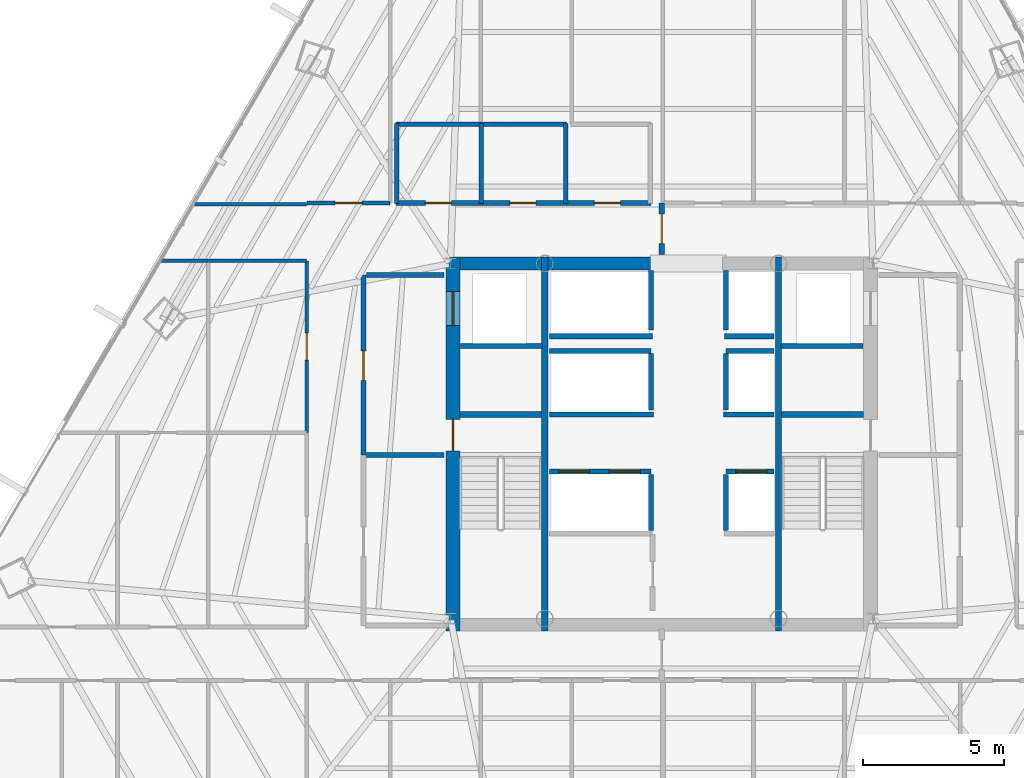
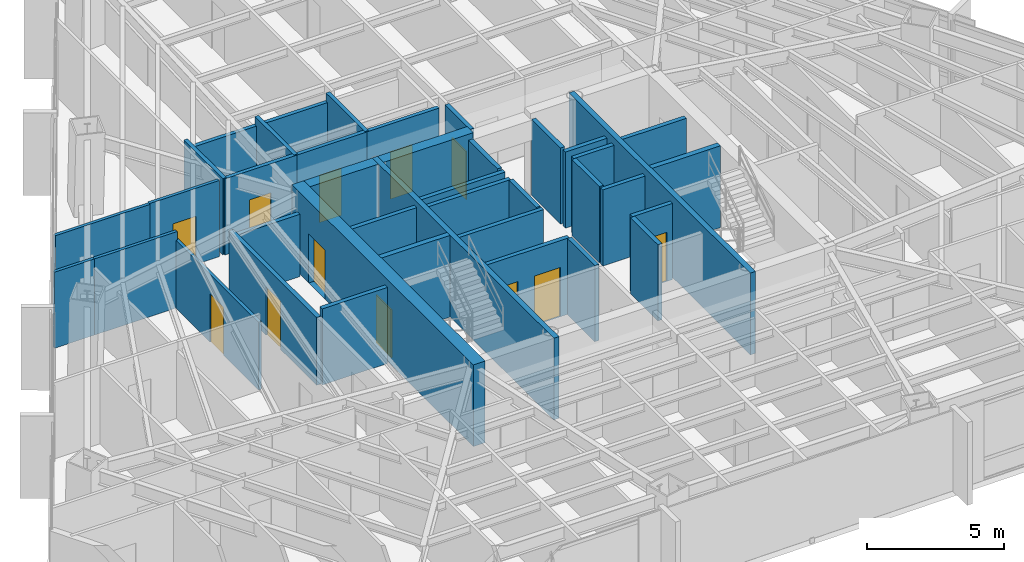
# One storey, part 30 of 35: 40 walls, 12 doors, 12 openings.
"""IFC4 building model written with IfcOpenShell, lengths in metres."""

from ifc_helpers import new_model, si_unit, direction, frame, frame_2d, origin, place, context, subcontext, project, spatial, rectangle, extrude, material, layer, layer_set, type_object, element, fill, save


model = new_model("IFC4")

# Units and contexts
model_context = context("Model", 3, precision=1e-05, world=origin(), true_north=direction((0.0, 1.0)))
body_context = subcontext(model_context, "Body", "Model", "MODEL_VIEW")
ifc_project = project(units=[si_unit("LENGTHUNIT", "METRE"), si_unit("AREAUNIT", "SQUARE_METRE"), si_unit("VOLUMEUNIT", "CUBIC_METRE"), si_unit("PLANEANGLEUNIT", "RADIAN"), si_unit("MASSUNIT", "GRAM", prefix="KILO")], contexts=[model_context])

# Site, building, storey
site_placement = place(None, origin())
site = spatial("IfcSite", under=ifc_project, at=site_placement, CompositionType="ELEMENT")
building_placement = place(site_placement, origin())
building = spatial("IfcBuilding", under=site, at=building_placement, Name="Caelisora Broadcast Tower", CompositionType="ELEMENT")
storey_placement = place(building_placement, frame((0.0, 0.0, 123.64990234375)))
storey = spatial("IfcBuildingStorey", under=building, at=storey_placement, Name="L32", CompositionType="ELEMENT", Elevation=123.64990234375)

# Wall, openings, doors
ifc_material_1 = material(Name="Concrete 50 MPa (AS 3600 S50)", Category="concrete")
ifc_layer_1 = layer(ifc_material_1, 0.5, Name="Concrete 50 MPa (AS 3600 S50)")
ifc_layer_set_1 = layer_set([ifc_layer_1], Name="Concrete 50 MPa (AS 3600 S50)")
wall_type_1 = type_object("IfcWallType", Name="CW2", PredefinedType="SHEAR", material=ifc_layer_set_1)
wall_1_placement = place(storey_placement, frame((30.590087890625, 16.949951171875, 0.0), z_axis=(0.0, 0.0, 1.0), x_axis=(0.0, 1.0, 0.0)))
wall_1 = element("IfcWall", 1, at=wall_1_placement, inside=storey, type_object=wall_type_1, Name="L32 core shear wall CW2", PredefinedType="SHEAR", context=body_context, shape_type="SweptSolid", body=[
    extrude(rectangle(XDim=13.275146484375, YDim=0.5, at=frame_2d((6.6376953125, 0.0))), origin(), (0.0, 0.0, 1.0), 3.650146484375),
])
opening_1_placement = place(wall_1_placement, frame((6.39990234375, 0.0, 0.0)))
opening_1 = element("IfcOpeningElement", 2, at=opening_1_placement, cuts=wall_1, Name="Opening FD04", PredefinedType="OPENING", context=body_context, shape_type="SweptSolid", body=[
    extrude(rectangle(XDim=1.1201171875, YDim=2.14990234375, at=frame_2d((0.56005859375, 1.074951171875))), frame((0.0, 0.261962890625, 0.0), z_axis=(0.0, -1.0, 0.0), x_axis=(1.0, 0.0, 0.0)), (0.0, 0.0, 1.0), 0.52392578125),
])
opening_2_placement = place(wall_1_placement, frame((10.85009765625, 0.0, 0.0)))
opening_2 = element("IfcOpeningElement", 3, at=opening_2_placement, cuts=wall_1, Name="Opening LD04", PredefinedType="OPENING", context=body_context, shape_type="SweptSolid", body=[
    extrude(rectangle(XDim=1.199951171875, YDim=2.199951171875, at=frame_2d((0.60009765625, 1.10009765625))), frame((0.0, 0.261962890625, 0.0), z_axis=(0.0, -1.0, 0.0), x_axis=(1.0, 0.0, 0.0)), (0.0, 0.0, 1.0), 0.52392578125),
])
ifc_material_2 = material(Name="Pressurised Fire-Isolated Stair Door", Category="steel")
door_type_1 = type_object("IfcDoorType", Name="FD04", OperationType="NOTDEFINED", PredefinedType="DOOR", material=ifc_material_2)
door_1_placement = place(opening_1_placement, origin())
door_1 = element("IfcDoor", 4, at=door_1_placement, inside=storey, type_object=door_type_1, Name="L32 door FD04 (L32-DR-ST1)", OperationType="SINGLE_SWING_LEFT", OverallHeight=2.14990234375, OverallWidth=1.1201171875, PredefinedType="DOOR", context=body_context, shape_type="SweptSolid", body=[
    extrude(rectangle(XDim=1.1201171875, YDim=2.14990234375, at=frame_2d((0.56005859375, 1.074951171875))), frame((0.0, 0.02490234375, 0.0), z_axis=(0.0, -1.0, 0.0), x_axis=(1.0, 0.0, 0.0)), (0.0, 0.0, 1.0), 0.050048828125),
])
fill(opening_1, door_1)
ifc_material_3 = material(Name="Emergency Firefighting Lift Sliding Landing Door", Category="steel")
door_type_2 = type_object("IfcDoorType", Name="LD04", OperationType="NOTDEFINED", PredefinedType="DOOR", material=ifc_material_3)
door_2_placement = place(opening_2_placement, origin())
door_2 = element("IfcDoor", 5, at=door_2_placement, inside=storey, type_object=door_type_2, Name="L32 door LD04 (L32-LD-FFL1)", OperationType="SLIDING_TO_LEFT", OverallHeight=2.199951171875, OverallWidth=1.199951171875, PredefinedType="DOOR", context=body_context, shape_type="SweptSolid", body=[
    extrude(rectangle(XDim=1.199951171875, YDim=2.199951171875, at=frame_2d((0.60009765625, 1.10009765625))), frame((0.0, 0.02490234375, 0.0), z_axis=(0.0, -1.0, 0.0), x_axis=(1.0, 0.0, 0.0)), (0.0, 0.0, 1.0), 0.050048828125),
])
fill(opening_2, door_2)

# Walls
ifc_layer_2 = layer(ifc_material_1, 0.449951171875, Name="Concrete 50 MPa (AS 3600 S50)")
ifc_layer_set_2 = layer_set([ifc_layer_2], Name="Concrete 50 MPa (AS 3600 S50)")
wall_type_2 = type_object("IfcWallType", Name="CW5", PredefinedType="SHEAR", material=ifc_layer_set_2)
wall_2_placement = place(storey_placement, frame((30.840087890625, 30.0, 0.0), z_axis=(0.0, 0.0, 1.0), x_axis=(1.0, 0.0, 0.0)))
element("IfcWall", 6, at=wall_2_placement, inside=storey, type_object=wall_type_2, Name="L32 core shear wall CW5", PredefinedType="SHEAR", context=body_context, shape_type="SweptSolid", body=[
    extrude(rectangle(XDim=2.89990234375, YDim=0.449951171875, at=frame_2d((1.449951171875, 0.0))), origin(), (0.0, 0.0, 1.0), 3.650146484375),
])
wall_3_placement = place(storey_placement, frame((33.9599609375, 30.0, 0.0), z_axis=(0.0, 0.0, 1.0), x_axis=(1.0, 0.0, 0.0)))
element("IfcWall", 7, at=wall_3_placement, inside=storey, type_object=wall_type_2, Name="L32 core shear wall CW5", PredefinedType="SHEAR", context=body_context, shape_type="SweptSolid", body=[
    extrude(rectangle(XDim=3.780029296875, YDim=0.449951171875, at=frame_2d((1.89013671875, 0.0))), origin(), (0.0, 0.0, 1.0), 3.650146484375),
])
ifc_layer_3 = layer(ifc_material_1, 0.219970703125, Name="Concrete 50 MPa (AS 3600 S50)")
ifc_layer_set_3 = layer_set([ifc_layer_3], Name="Concrete 50 MPa (AS 3600 S50)")
wall_type_3 = type_object("IfcWallType", Name="CW7", PredefinedType="SHEAR", material=ifc_layer_set_3)
for number, where, z_axis, x_axis, name in (
    (8, (33.85009765625, 16.949951171875, 0.0), (0.0, 0.0, 1.0), (0.0, 1.0, 0.0), "L32 core shear wall CW7"),
    (9, (42.14990234375, 16.949951171875, 0.0), (0.0, 0.0, 1.0), (0.0, 1.0, 0.0), "L32 core shear wall CW7"),
):
    element("IfcWall", number, at=place(storey_placement, frame(where, z_axis=z_axis, x_axis=x_axis)), inside=storey, type_object=wall_type_3, Name=name, PredefinedType="SHEAR", context=body_context, shape_type="SweptSolid", body=[
        extrude(rectangle(XDim=13.275146484375, YDim=0.219970703125, at=frame_2d((6.6376953125, 0.0))), origin(), (0.0, 0.0, 1.0), 3.650146484375),
    ])
for number, where, z_axis, x_axis, name in (
    (10, (30.840087890625, 24.639892578125, 0.0), (0.0, 0.0, 1.0), (1.0, 0.0, 0.0), "L32 core shear wall CW7"),
    (11, (42.260009765625, 24.639892578125, 0.0), (0.0, 0.0, 1.0), (1.0, 0.0, 0.0), "L32 core shear wall CW7"),
):
    element("IfcWall", number, at=place(storey_placement, frame(where, z_axis=z_axis, x_axis=x_axis)), inside=storey, type_object=wall_type_3, Name=name, PredefinedType="SHEAR", context=body_context, shape_type="SweptSolid", body=[
        extrude(rectangle(XDim=2.89990234375, YDim=0.219970703125, at=frame_2d((1.449951171875, 0.0))), origin(), (0.0, 0.0, 1.0), 3.650146484375),
    ])

# Wall, openings, doors
ifc_material_4 = material(Name="Fire-Rated Gypsum Shaft and Compartment Wall", Category="gypsum")
ifc_layer_4 = layer(ifc_material_4, 0.179931640625, Name="Fire-Rated Gypsum Shaft and Compartment Wall")
ifc_layer_set_4 = layer_set([ifc_layer_4], Name="Fire-Rated Gypsum Shaft and Compartment Wall")
wall_type_4 = type_object("IfcWallType", Name="PW2", PredefinedType="PARTITIONING", material=ifc_layer_set_4)
wall_4_placement = place(storey_placement, frame((34.02001953125, 22.6201171875, 0.0), z_axis=(0.0, 0.0, 1.0), x_axis=(1.0, 0.0, 0.0)))
wall_4 = element("IfcWall", 12, at=wall_4_placement, inside=storey, type_object=wall_type_4, Name="L32 fire compartment wall PW2", PredefinedType="PARTITIONING", context=body_context, shape_type="SweptSolid", body=[
    extrude(rectangle(XDim=3.60009765625, YDim=0.179931640625, at=frame_2d((1.800048828125, 0.0))), origin(), (0.0, 0.0, 1.0), 3.400146484375),
])
opening_3_placement = place(wall_4_placement, frame((0.320068359375, 0.0, 0.0)))
opening_3 = element("IfcOpeningElement", 13, at=opening_3_placement, cuts=wall_4, Name="Opening LD01", PredefinedType="OPENING", context=body_context, shape_type="SweptSolid", body=[
    extrude(rectangle(XDim=1.10009765625, YDim=2.199951171875, at=frame_2d((0.550048828125, 1.10009765625))), frame((0.0, 0.10205078125, 0.0), z_axis=(0.0, -1.0, 0.0), x_axis=(1.0, 0.0, 0.0)), (0.0, 0.0, 1.0), 0.203857421875),
])
opening_4_placement = place(wall_4_placement, frame((2.1201171875, 0.0, 0.0)))
opening_4 = element("IfcOpeningElement", 14, at=opening_4_placement, cuts=wall_4, Name="Opening LD01", PredefinedType="OPENING", context=body_context, shape_type="SweptSolid", body=[
    extrude(rectangle(XDim=1.10009765625, YDim=2.199951171875, at=frame_2d((0.550048828125, 1.10009765625))), frame((0.0, 0.10205078125, 0.0), z_axis=(0.0, -1.0, 0.0), x_axis=(1.0, 0.0, 0.0)), (0.0, 0.0, 1.0), 0.203857421875),
])
ifc_material_5 = material(Name="Stainless Steel Centre-Parting Lift Landing Door", Category="steel")
door_type_3 = type_object("IfcDoorType", Name="LD01", OperationType="NOTDEFINED", PredefinedType="DOOR", material=ifc_material_5)
door_3_placement = place(opening_3_placement, origin())
door_3 = element("IfcDoor", 15, at=door_3_placement, inside=storey, type_object=door_type_3, Name="L32 door LD01 (L32-LD-PLL1)", OperationType="SLIDING_TO_LEFT", OverallHeight=2.199951171875, OverallWidth=1.10009765625, PredefinedType="DOOR", context=body_context, shape_type="SweptSolid", body=[
    extrude(rectangle(XDim=1.10009765625, YDim=2.199951171875, at=frame_2d((0.550048828125, 1.10009765625))), frame((0.0, 0.02490234375, 0.0), z_axis=(0.0, -1.0, 0.0), x_axis=(1.0, 0.0, 0.0)), (0.0, 0.0, 1.0), 0.050048828125),
])
fill(opening_3, door_3)
door_4_placement = place(opening_4_placement, origin())
door_4 = element("IfcDoor", 16, at=door_4_placement, inside=storey, type_object=door_type_3, Name="L32 door LD01 (L32-LD-PLL2)", OperationType="SLIDING_TO_RIGHT", OverallHeight=2.199951171875, OverallWidth=1.10009765625, PredefinedType="DOOR", context=body_context, shape_type="SweptSolid", body=[
    extrude(rectangle(XDim=1.10009765625, YDim=2.199951171875, at=frame_2d((0.550048828125, 1.10009765625))), frame((0.0, 0.02490234375, 0.0), z_axis=(0.0, -1.0, 0.0), x_axis=(1.0, 0.0, 0.0)), (0.0, 0.0, 1.0), 0.050048828125),
])
fill(opening_4, door_4)

# Wall, opening, door
wall_5_placement = place(storey_placement, frame((40.280029296875, 22.6201171875, 0.0), z_axis=(0.0, 0.0, 1.0), x_axis=(1.0, 0.0, 0.0)))
wall_5 = element("IfcWall", 17, at=wall_5_placement, inside=storey, type_object=wall_type_4, Name="L32 fire compartment wall PW2", PredefinedType="PARTITIONING", context=body_context, shape_type="SweptSolid", body=[
    extrude(rectangle(XDim=1.699951171875, YDim=0.179931640625, at=frame_2d((0.85009765625, 0.0))), origin(), (0.0, 0.0, 1.0), 3.400146484375),
])
opening_5_placement = place(wall_5_placement, frame((0.35009765625, 0.0, 0.0)))
opening_5 = element("IfcOpeningElement", 18, at=opening_5_placement, cuts=wall_5, Name="Opening LD01", PredefinedType="OPENING", context=body_context, shape_type="SweptSolid", body=[
    extrude(rectangle(XDim=1.10009765625, YDim=2.199951171875, at=frame_2d((0.550048828125, 1.10009765625))), frame((0.0, 0.10205078125, 0.0), z_axis=(0.0, -1.0, 0.0), x_axis=(1.0, 0.0, 0.0)), (0.0, 0.0, 1.0), 0.203857421875),
])
door_5_placement = place(opening_5_placement, origin())
door_5 = element("IfcDoor", 19, at=door_5_placement, inside=storey, type_object=door_type_3, Name="L32 door LD01 (L32-LD-PLL3)", OperationType="SLIDING_TO_LEFT", OverallHeight=2.199951171875, OverallWidth=1.10009765625, PredefinedType="DOOR", context=body_context, shape_type="SweptSolid", body=[
    extrude(rectangle(XDim=1.10009765625, YDim=2.199951171875, at=frame_2d((0.550048828125, 1.10009765625))), frame((0.0, 0.02490234375, 0.0), z_axis=(0.0, -1.0, 0.0), x_axis=(1.0, 0.0, 0.0)), (0.0, 0.0, 1.0), 0.050048828125),
])
fill(opening_5, door_5)

# Walls
for number, where, z_axis, x_axis, name in (
    (20, (37.6201171875, 20.52001953125, 0.0), (0.0, 0.0, 1.0), (0.0, 1.0, 0.0), "L32 fire compartment wall PW2"),
    (21, (40.280029296875, 20.52001953125, 0.0), (0.0, 0.0, 1.0), (0.0, 1.0, 0.0), "L32 fire compartment wall PW2"),
):
    element("IfcWall", number, at=place(storey_placement, frame(where, z_axis=z_axis, x_axis=x_axis)), inside=storey, type_object=wall_type_4, Name=name, PredefinedType="PARTITIONING", context=body_context, shape_type="SweptSolid", body=[
        extrude(rectangle(XDim=2.0, YDim=0.179931640625, at=frame_2d((1.0, 0.0))), origin(), (0.0, 0.0, 1.0), 3.400146484375),
    ])
wall_6_placement = place(storey_placement, frame((34.02001953125, 26.89990234375, 0.0), z_axis=(0.0, 0.0, 1.0), x_axis=(1.0, 0.0, 0.0)))
element("IfcWall", 22, at=wall_6_placement, inside=storey, type_object=wall_type_4, Name="L32 fire compartment wall PW2", PredefinedType="PARTITIONING", context=body_context, shape_type="SweptSolid", body=[
    extrude(rectangle(XDim=3.60009765625, YDim=0.179931640625, at=frame_2d((1.800048828125, 0.0))), origin(), (0.0, 0.0, 1.0), 3.400146484375),
])
wall_7_placement = place(storey_placement, frame((40.280029296875, 26.89990234375, 0.0), z_axis=(0.0, 0.0, 1.0), x_axis=(1.0, 0.0, 0.0)))
element("IfcWall", 23, at=wall_7_placement, inside=storey, type_object=wall_type_4, Name="L32 fire compartment wall PW2", PredefinedType="PARTITIONING", context=body_context, shape_type="SweptSolid", body=[
    extrude(rectangle(XDim=1.699951171875, YDim=0.179931640625, at=frame_2d((0.85009765625, 0.0))), origin(), (0.0, 0.0, 1.0), 3.400146484375),
])
for number, where, z_axis, x_axis, name in (
    (24, (37.6201171875, 24.800048828125, 0.0), (0.0, 0.0, 1.0), (0.0, 1.0, 0.0), "L32 fire compartment wall PW2"),
    (25, (40.280029296875, 24.800048828125, 0.0), (0.0, 0.0, 1.0), (0.0, 1.0, 0.0), "L32 fire compartment wall PW2"),
):
    element("IfcWall", number, at=place(storey_placement, frame(where, z_axis=z_axis, x_axis=x_axis)), inside=storey, type_object=wall_type_4, Name=name, PredefinedType="PARTITIONING", context=body_context, shape_type="SweptSolid", body=[
        extrude(rectangle(XDim=2.0, YDim=0.179931640625, at=frame_2d((1.0, 0.0))), origin(), (0.0, 0.0, 1.0), 3.400146484375),
    ])
wall_8_placement = place(storey_placement, frame((34.02001953125, 24.639892578125, 0.0), z_axis=(0.0, 0.0, 1.0), x_axis=(1.0, 0.0, 0.0)))
element("IfcWall", 26, at=wall_8_placement, inside=storey, type_object=wall_type_4, Name="L32 fire compartment wall PW2", PredefinedType="PARTITIONING", context=body_context, shape_type="SweptSolid", body=[
    extrude(rectangle(XDim=3.679931640625, YDim=0.179931640625, at=frame_2d((1.83984375, 0.0))), origin(), (0.0, 0.0, 1.0), 3.400146484375),
])
wall_9_placement = place(storey_placement, frame((40.199951171875, 24.639892578125, 0.0), z_axis=(0.0, 0.0, 1.0), x_axis=(1.0, 0.0, 0.0)))
element("IfcWall", 27, at=wall_9_placement, inside=storey, type_object=wall_type_4, Name="L32 fire compartment wall PW2", PredefinedType="PARTITIONING", context=body_context, shape_type="SweptSolid", body=[
    extrude(rectangle(XDim=1.780029296875, YDim=0.179931640625, at=frame_2d((0.89013671875, 0.0))), origin(), (0.0, 0.0, 1.0), 3.400146484375),
])
wall_10_placement = place(storey_placement, frame((34.02001953125, 27.419921875, 0.0), z_axis=(0.0, 0.0, 1.0), x_axis=(1.0, 0.0, 0.0)))
element("IfcWall", 28, at=wall_10_placement, inside=storey, type_object=wall_type_4, Name="L32 fire compartment wall PW2", PredefinedType="PARTITIONING", context=body_context, shape_type="SweptSolid", body=[
    extrude(rectangle(XDim=3.659912109375, YDim=0.179931640625, at=frame_2d((1.830078125, 0.0))), origin(), (0.0, 0.0, 1.0), 3.400146484375),
])
wall_11_placement = place(storey_placement, frame((40.219970703125, 27.419921875, 0.0), z_axis=(0.0, 0.0, 1.0), x_axis=(1.0, 0.0, 0.0)))
element("IfcWall", 29, at=wall_11_placement, inside=storey, type_object=wall_type_4, Name="L32 fire compartment wall PW2", PredefinedType="PARTITIONING", context=body_context, shape_type="SweptSolid", body=[
    extrude(rectangle(XDim=1.760009765625, YDim=0.179931640625, at=frame_2d((0.8798828125, 0.0))), origin(), (0.0, 0.0, 1.0), 3.400146484375),
])
for number, where, z_axis, x_axis, name in (
    (30, (37.6201171875, 27.639892578125, 0.0), (0.0, 0.0, 1.0), (0.0, 1.0, 0.0), "L32 fire compartment wall PW2"),
    (31, (40.280029296875, 27.639892578125, 0.0), (0.0, 0.0, 1.0), (0.0, 1.0, 0.0), "L32 fire compartment wall PW2"),
):
    element("IfcWall", number, at=place(storey_placement, frame(where, z_axis=z_axis, x_axis=x_axis)), inside=storey, type_object=wall_type_4, Name=name, PredefinedType="PARTITIONING", context=body_context, shape_type="SweptSolid", body=[
        extrude(rectangle(XDim=2.110107421875, YDim=0.179931640625, at=frame_2d((1.05517578125, 0.0))), origin(), (0.0, 0.0, 1.0), 3.400146484375),
    ])

# Wall, opening, door
wall_12_placement = place(storey_placement, frame((27.419921875, 23.199951171875, 0.0), z_axis=(0.0, 0.0, 1.0), x_axis=(0.0, 1.0, 0.0)))
wall_12 = element("IfcWall", 32, at=wall_12_placement, inside=storey, type_object=wall_type_4, Name="L32 fire compartment wall PW2", PredefinedType="PARTITIONING", context=body_context, shape_type="SweptSolid", body=[
    extrude(rectangle(XDim=6.400146484375, YDim=0.179931640625, at=frame_2d((3.2001953125, 0.0))), origin(), (0.0, 0.0, 1.0), 3.026611328125),
])
opening_6_placement = place(wall_12_placement, frame((2.64990234375, 0.0, 0.0)))
opening_6 = element("IfcOpeningElement", 33, at=opening_6_placement, cuts=wall_12, Name="Opening FD02", PredefinedType="OPENING", context=body_context, shape_type="SweptSolid", body=[
    extrude(rectangle(XDim=1.050048828125, YDim=2.14990234375, at=frame_2d((0.52490234375, 1.074951171875))), frame((0.0, 0.10205078125, 0.0), z_axis=(0.0, -1.0, 0.0), x_axis=(1.0, 0.0, 0.0)), (0.0, 0.0, 1.0), 0.203857421875),
])
ifc_material_6 = material(Name="Single-Leaf Steel Fire Lobby Door", Category="steel")
door_type_4 = type_object("IfcDoorType", Name="FD02", OperationType="NOTDEFINED", PredefinedType="DOOR", material=ifc_material_6)
door_6_placement = place(opening_6_placement, origin())
door_6 = element("IfcDoor", 34, at=door_6_placement, inside=storey, type_object=door_type_4, Name="L32 door FD02 (L32-DR-P01D1)", OperationType="SINGLE_SWING_LEFT", OverallHeight=2.14990234375, OverallWidth=1.050048828125, PredefinedType="DOOR", context=body_context, shape_type="SweptSolid", body=[
    extrude(rectangle(XDim=1.050048828125, YDim=2.14990234375, at=frame_2d((0.52490234375, 1.074951171875))), frame((0.0, 0.02490234375, 0.0), z_axis=(0.0, -1.0, 0.0), x_axis=(1.0, 0.0, 0.0)), (0.0, 0.0, 1.0), 0.050048828125),
])
fill(opening_6, door_6)

# Walls
wall_13_placement = place(storey_placement, frame((27.52001953125, 23.199951171875, 0.0), z_axis=(0.0, 0.0, 1.0), x_axis=(1.0, 0.0, 0.0)))
element("IfcWall", 35, at=wall_13_placement, inside=storey, type_object=wall_type_4, Name="L32 fire compartment wall PW2", PredefinedType="PARTITIONING", context=body_context, shape_type="SweptSolid", body=[
    extrude(rectangle(XDim=2.760009765625, YDim=0.179931640625, at=frame_2d((1.3798828125, 0.0))), origin(), (0.0, 0.0, 1.0), 3.400146484375),
])
wall_14_placement = place(storey_placement, frame((27.52001953125, 29.60009765625, 0.0), z_axis=(0.0, 0.0, 1.0), x_axis=(1.0, 0.0, 0.0)))
element("IfcWall", 36, at=wall_14_placement, inside=storey, type_object=wall_type_4, Name="L32 fire compartment wall PW2", PredefinedType="PARTITIONING", context=body_context, shape_type="SweptSolid", body=[
    extrude(rectangle(XDim=2.760009765625, YDim=0.179931640625, at=frame_2d((1.3798828125, 0.0))), origin(), (0.0, 0.0, 1.0), 2.782958984375),
])
for number, where, z_axis, x_axis, name in (
    (37, (30.860107421875, 27.070068359375, 0.0), (0.0, 0.0, 1.0), (1.0, 0.0, 0.0), "L32 fire compartment wall PW2"),
    (38, (42.239990234375, 27.070068359375, 0.0), (0.0, 0.0, 1.0), (1.0, 0.0, 0.0), "L32 fire compartment wall PW2"),
):
    element("IfcWall", number, at=place(storey_placement, frame(where, z_axis=z_axis, x_axis=x_axis)), inside=storey, type_object=wall_type_4, Name=name, PredefinedType="PARTITIONING", context=body_context, shape_type="SweptSolid", body=[
        extrude(rectangle(XDim=2.89990234375, YDim=0.179931640625, at=frame_2d((1.449951171875, 0.0))), origin(), (0.0, 0.0, 1.0), 3.400146484375),
    ])

# Wall, opening, door
wall_15_placement = place(storey_placement, frame((38.0, 30.320068359375, 0.0), z_axis=(0.0, 0.0, 1.0), x_axis=(0.0, 1.0, 0.0)))
wall_15 = element("IfcWall", 39, at=wall_15_placement, inside=storey, type_object=wall_type_4, Name="L32 fire compartment wall PW2", PredefinedType="PARTITIONING", context=body_context, shape_type="SweptSolid", body=[
    extrude(rectangle(XDim=1.824951171875, YDim=0.179931640625, at=frame_2d((0.91259765625, 0.0))), origin(), (0.0, 0.0, 1.0), 3.400146484375),
])
opening_7_placement = place(wall_15_placement, frame((0.387939453125, 0.0, 0.0)))
opening_7 = element("IfcOpeningElement", 40, at=opening_7_placement, cuts=wall_15, Name="Opening FD02", PredefinedType="OPENING", context=body_context, shape_type="SweptSolid", body=[
    extrude(rectangle(XDim=1.050048828125, YDim=2.14990234375, at=frame_2d((0.52490234375, 1.074951171875))), frame((0.0, 0.10205078125, 0.0), z_axis=(0.0, -1.0, 0.0), x_axis=(1.0, 0.0, 0.0)), (0.0, 0.0, 1.0), 0.203857421875),
])
door_7_placement = place(opening_7_placement, origin())
door_7 = element("IfcDoor", 41, at=door_7_placement, inside=storey, type_object=door_type_4, Name="L32 door FD02 (L32-DR-P93D1)", OperationType="SINGLE_SWING_RIGHT", OverallHeight=2.14990234375, OverallWidth=1.050048828125, PredefinedType="DOOR", context=body_context, shape_type="SweptSolid", body=[
    extrude(rectangle(XDim=1.050048828125, YDim=2.14990234375, at=frame_2d((0.52490234375, 1.074951171875))), frame((0.0, 0.02490234375, 0.0), z_axis=(0.0, -1.0, 0.0), x_axis=(1.0, 0.0, 0.0)), (0.0, 0.0, 1.0), 0.050048828125),
])
fill(opening_7, door_7)

ifc_material_7 = material(Name="Acoustic Steel-Stud Plasterboard Partition", Category="gypsum")
ifc_layer_5 = layer(ifc_material_7, 0.1298828125, Name="Acoustic Steel-Stud Plasterboard Partition")
ifc_layer_set_5 = layer_set([ifc_layer_5], Name="Acoustic Steel-Stud Plasterboard Partition")
wall_type_5 = type_object("IfcWallType", Name="PW3", PredefinedType="PARTITIONING", material=ifc_layer_set_5)
wall_16_placement = place(storey_placement, frame((25.39990234375, 24.0048828125, 0.0), z_axis=(0.0, 0.0, 1.0), x_axis=(0.0, 1.0, 0.0)))
wall_16 = element("IfcWall", 42, at=wall_16_placement, inside=storey, type_object=wall_type_5, Name="L32 internal partition PW3", PredefinedType="PARTITIONING", context=body_context, shape_type="SweptSolid", body=[
    extrude(rectangle(XDim=6.090087890625, YDim=0.1298828125, at=frame_2d((3.044921875, 0.0))), origin(), (0.0, 0.0, 1.0), 3.026611328125),
])
opening_8_placement = place(wall_16_placement, frame((2.56494140625, 0.0, 0.0)))
opening_8 = element("IfcOpeningElement", 43, at=opening_8_placement, cuts=wall_16, Name="Opening D01", PredefinedType="OPENING", context=body_context, shape_type="SweptSolid", body=[
    extrude(rectangle(XDim=0.9599609375, YDim=2.14990234375, at=frame_2d((0.47998046875, 1.074951171875))), frame((0.0, 0.076904296875, 0.0), z_axis=(0.0, -1.0, 0.0), x_axis=(1.0, 0.0, 0.0)), (0.0, 0.0, 1.0), 0.15380859375),
])
ifc_material_8 = material(Name="Solid-Core Timber Acoustic Office Door", Category="wood")
door_type_5 = type_object("IfcDoorType", Name="D01", OperationType="NOTDEFINED", PredefinedType="DOOR", material=ifc_material_8)
door_8_placement = place(opening_8_placement, origin())
door_8 = element("IfcDoor", 44, at=door_8_placement, inside=storey, type_object=door_type_5, Name="L32 door D01 (L32-DR-P55D1)", OperationType="SINGLE_SWING_LEFT", OverallHeight=2.14990234375, OverallWidth=0.9599609375, PredefinedType="DOOR", context=body_context, shape_type="SweptSolid", body=[
    extrude(rectangle(XDim=0.9599609375, YDim=2.14990234375, at=frame_2d((0.47998046875, 1.074951171875))), frame((0.0, 0.02490234375, 0.0), z_axis=(0.0, -1.0, 0.0), x_axis=(1.0, 0.0, 0.0)), (0.0, 0.0, 1.0), 0.050048828125),
])
fill(opening_8, door_8)

# Walls
wall_17_placement = place(storey_placement, frame((25.39501953125, 30.10009765625, 0.0), z_axis=(0.0, 0.0, 1.0), x_axis=(-1.0, 0.0, 0.0)))
element("IfcWall", 45, at=wall_17_placement, inside=storey, type_object=wall_type_5, Name="L32 internal partition PW3", PredefinedType="PARTITIONING", context=body_context, shape_type="SweptSolid", body=[
    extrude(rectangle(XDim=3.489990234375, YDim=0.1298828125, at=frame_2d((1.7451171875, 0.0))), origin(), (0.0, 0.0, 1.0), 3.400146484375),
])
wall_18_placement = place(storey_placement, frame((21.40478515625, 32.10009765625, 0.0), z_axis=(0.0, 0.0, 1.0), x_axis=(1.0, 0.0, 0.0)))
element("IfcWall", 46, at=wall_18_placement, inside=storey, type_object=wall_type_5, Name="L32 internal partition PW3", PredefinedType="PARTITIONING", context=body_context, shape_type="SweptSolid", body=[
    extrude(rectangle(XDim=3.990234375, YDim=0.1298828125, at=frame_2d((1.9951171875, 0.0))), origin(), (0.0, 0.0, 1.0), 3.400146484375),
])

# Wall, opening, door
wall_19_placement = place(storey_placement, frame((25.405029296875, 32.14990234375, 0.0), z_axis=(0.0, 0.0, 1.0), x_axis=(1.0, 0.0, 0.0)))
wall_19 = element("IfcWall", 47, at=wall_19_placement, inside=storey, type_object=wall_type_5, Name="L32 internal partition PW3", PredefinedType="PARTITIONING", context=body_context, shape_type="SweptSolid", body=[
    extrude(rectangle(XDim=2.949951171875, YDim=0.1298828125, at=frame_2d((1.47509765625, 0.0))), origin(), (0.0, 0.0, 1.0), 3.400146484375),
])
opening_9_placement = place(wall_19_placement, frame((0.9951171875, 0.0, 0.0)))
opening_9 = element("IfcOpeningElement", 48, at=opening_9_placement, cuts=wall_19, Name="Opening D01", PredefinedType="OPENING", context=body_context, shape_type="SweptSolid", body=[
    extrude(rectangle(XDim=0.9599609375, YDim=2.14990234375, at=frame_2d((0.47998046875, 1.074951171875))), frame((0.0, 0.076904296875, 0.0), z_axis=(0.0, -1.0, 0.0), x_axis=(1.0, 0.0, 0.0)), (0.0, 0.0, 1.0), 0.15380859375),
])
door_9_placement = place(opening_9_placement, origin())
door_9 = element("IfcDoor", 49, at=door_9_placement, inside=storey, type_object=door_type_5, Name="L32 door D01 (L32-DR-P86D1)", OperationType="SINGLE_SWING_RIGHT", OverallHeight=2.14990234375, OverallWidth=0.9599609375, PredefinedType="DOOR", context=body_context, shape_type="SweptSolid", body=[
    extrude(rectangle(XDim=0.9599609375, YDim=2.14990234375, at=frame_2d((0.47998046875, 1.074951171875))), frame((0.0, 0.02490234375, 0.0), z_axis=(0.0, -1.0, 0.0), x_axis=(1.0, 0.0, 0.0)), (0.0, 0.0, 1.0), 0.050048828125),
])
fill(opening_9, door_9)

# Wall
wall_20_placement = place(storey_placement, frame((20.21044921875, 30.10009765625, 0.0), z_axis=(0.0, 0.0, 1.0), x_axis=(1.0, 0.0, 0.0)))
element("IfcWall", 50, at=wall_20_placement, inside=storey, type_object=wall_type_5, Name="L32 internal partition PW3", PredefinedType="PARTITIONING", context=body_context, shape_type="SweptSolid", body=[
    extrude(rectangle(XDim=1.6845703125, YDim=0.1298828125, at=frame_2d((0.84228515625, 0.0))), origin(), (0.0, 0.0, 1.0), 3.400146484375),
])

# Wall, opening, door
ifc_material_9 = material(Name="Moisture-Resistant Wet Plumbing Service Wall", Category="gypsum")
ifc_layer_6 = layer(ifc_material_9, 0.159912109375, Name="Moisture-Resistant Wet Plumbing Service Wall")
ifc_layer_set_6 = layer_set([ifc_layer_6], Name="Moisture-Resistant Wet Plumbing Service Wall")
wall_type_6 = type_object("IfcWallType", Name="PW4", PredefinedType="PLUMBINGWALL", material=ifc_layer_set_6)
wall_21_placement = place(storey_placement, frame((28.574951171875, 32.14990234375, 0.0), z_axis=(0.0, 0.0, 1.0), x_axis=(1.0, 0.0, 0.0)))
wall_21 = element("IfcWall", 51, at=wall_21_placement, inside=storey, type_object=wall_type_6, Name="L32 wet plumbing wall PW4", PredefinedType="PLUMBINGWALL", context=body_context, shape_type="SweptSolid", body=[
    extrude(rectangle(XDim=3.050048828125, YDim=0.159912109375, at=frame_2d((1.52490234375, 0.0))), origin(), (0.0, 0.0, 1.0), 3.400146484375),
])
opening_10_placement = place(wall_21_placement, frame((1.034912109375, 0.0, 0.0)))
opening_10 = element("IfcOpeningElement", 52, at=opening_10_placement, cuts=wall_21, Name="Opening D03", PredefinedType="OPENING", context=body_context, shape_type="SweptSolid", body=[
    extrude(rectangle(XDim=0.919921875, YDim=2.10009765625, at=frame_2d((0.4599609375, 1.050048828125))), frame((0.0, 0.092041015625, 0.0), z_axis=(0.0, -1.0, 0.0), x_axis=(1.0, 0.0, 0.0)), (0.0, 0.0, 1.0), 0.183837890625),
])
ifc_material_10 = material(Name="Laminate Moisture-Resistant Amenity WC Door", Category="wood")
door_type_6 = type_object("IfcDoorType", Name="D03", OperationType="NOTDEFINED", PredefinedType="DOOR", material=ifc_material_10)
door_10_placement = place(opening_10_placement, origin())
door_10 = element("IfcDoor", 53, at=door_10_placement, inside=storey, type_object=door_type_6, Name="L32 door D03 (L32-DR-P16D1)", OperationType="SINGLE_SWING_RIGHT", OverallHeight=2.10009765625, OverallWidth=0.919921875, PredefinedType="DOOR", context=body_context, shape_type="SweptSolid", body=[
    extrude(rectangle(XDim=0.919921875, YDim=2.10009765625, at=frame_2d((0.4599609375, 1.050048828125))), frame((0.0, 0.02490234375, 0.0), z_axis=(0.0, -1.0, 0.0), x_axis=(1.0, 0.0, 0.0)), (0.0, 0.0, 1.0), 0.050048828125),
])
fill(opening_10, door_10)

wall_22_placement = place(storey_placement, frame((31.574951171875, 32.14990234375, 0.0), z_axis=(0.0, 0.0, 1.0), x_axis=(1.0, 0.0, 0.0)))
wall_22 = element("IfcWall", 54, at=wall_22_placement, inside=storey, type_object=wall_type_6, Name="L32 wet plumbing wall PW4", PredefinedType="PLUMBINGWALL", context=body_context, shape_type="SweptSolid", body=[
    extrude(rectangle(XDim=3.050048828125, YDim=0.159912109375, at=frame_2d((1.52490234375, 0.0))), origin(), (0.0, 0.0, 1.0), 3.400146484375),
])
opening_11_placement = place(wall_22_placement, frame((1.034912109375, 0.0, 0.0)))
opening_11 = element("IfcOpeningElement", 55, at=opening_11_placement, cuts=wall_22, Name="Opening D03", PredefinedType="OPENING", context=body_context, shape_type="SweptSolid", body=[
    extrude(rectangle(XDim=0.919921875, YDim=2.10009765625, at=frame_2d((0.4599609375, 1.050048828125))), frame((0.0, 0.092041015625, 0.0), z_axis=(0.0, -1.0, 0.0), x_axis=(1.0, 0.0, 0.0)), (0.0, 0.0, 1.0), 0.183837890625),
])
door_11_placement = place(opening_11_placement, origin())
door_11 = element("IfcDoor", 56, at=door_11_placement, inside=storey, type_object=door_type_6, Name="L32 door D03 (L32-DR-P17D1)", OperationType="SINGLE_SWING_LEFT", OverallHeight=2.10009765625, OverallWidth=0.919921875, PredefinedType="DOOR", context=body_context, shape_type="SweptSolid", body=[
    extrude(rectangle(XDim=0.919921875, YDim=2.10009765625, at=frame_2d((0.4599609375, 1.050048828125))), frame((0.0, 0.02490234375, 0.0), z_axis=(0.0, -1.0, 0.0), x_axis=(1.0, 0.0, 0.0)), (0.0, 0.0, 1.0), 0.050048828125),
])
fill(opening_11, door_11)

wall_23_placement = place(storey_placement, frame((34.574951171875, 32.14990234375, 0.0), z_axis=(0.0, 0.0, 1.0), x_axis=(1.0, 0.0, 0.0)))
wall_23 = element("IfcWall", 57, at=wall_23_placement, inside=storey, type_object=wall_type_6, Name="L32 wet plumbing wall PW4", PredefinedType="PLUMBINGWALL", context=body_context, shape_type="SweptSolid", body=[
    extrude(rectangle(XDim=3.050048828125, YDim=0.159912109375, at=frame_2d((1.52490234375, 0.0))), origin(), (0.0, 0.0, 1.0), 3.400146484375),
])
opening_12_placement = place(wall_23_placement, frame((1.034912109375, 0.0, 0.0)))
opening_12 = element("IfcOpeningElement", 58, at=opening_12_placement, cuts=wall_23, Name="Opening D03", PredefinedType="OPENING", context=body_context, shape_type="SweptSolid", body=[
    extrude(rectangle(XDim=0.919921875, YDim=2.10009765625, at=frame_2d((0.4599609375, 1.050048828125))), frame((0.0, 0.092041015625, 0.0), z_axis=(0.0, -1.0, 0.0), x_axis=(1.0, 0.0, 0.0)), (0.0, 0.0, 1.0), 0.183837890625),
])
door_12_placement = place(opening_12_placement, origin())
door_12 = element("IfcDoor", 59, at=door_12_placement, inside=storey, type_object=door_type_6, Name="L32 door D03 (L32-DR-P18D1)", OperationType="SINGLE_SWING_RIGHT", OverallHeight=2.10009765625, OverallWidth=0.919921875, PredefinedType="DOOR", context=body_context, shape_type="SweptSolid", body=[
    extrude(rectangle(XDim=0.919921875, YDim=2.10009765625, at=frame_2d((0.4599609375, 1.050048828125))), frame((0.0, 0.02490234375, 0.0), z_axis=(0.0, -1.0, 0.0), x_axis=(1.0, 0.0, 0.0)), (0.0, 0.0, 1.0), 0.050048828125),
])
fill(opening_12, door_12)

# Walls
wall_24_placement = place(storey_placement, frame((31.574951171875, 34.949951171875, 0.0), z_axis=(0.0, 0.0, 1.0), x_axis=(1.0, 0.0, 0.0)))
element("IfcWall", 60, at=wall_24_placement, inside=storey, type_object=wall_type_6, Name="L32 wet plumbing wall PW4", PredefinedType="PLUMBINGWALL", context=body_context, shape_type="SweptSolid", body=[
    extrude(rectangle(XDim=3.050048828125, YDim=0.159912109375, at=frame_2d((1.52490234375, 0.0))), origin(), (0.0, 0.0, 1.0), 3.026611328125),
])
wall_25_placement = place(storey_placement, frame((28.574951171875, 34.949951171875, 0.0), z_axis=(0.0, 0.0, 1.0), x_axis=(1.0, 0.0, 0.0)))
element("IfcWall", 61, at=wall_25_placement, inside=storey, type_object=wall_type_6, Name="L32 wet plumbing wall PW4", PredefinedType="PLUMBINGWALL", context=body_context, shape_type="SweptSolid", body=[
    extrude(rectangle(XDim=3.030029296875, YDim=0.159912109375, at=frame_2d((1.51513671875, 0.0))), origin(), (0.0, 0.0, 1.0), 3.026611328125),
])
for number, where, z_axis, x_axis, name in (
    (62, (31.60009765625, 32.125, 0.0), (0.0, 0.0, 1.0), (0.0, 1.0, 0.0), "L32 wet plumbing wall PW4"),
    (63, (28.60009765625, 32.125, 0.0), (0.0, 0.0, 1.0), (0.0, 1.0, 0.0), "L32 wet plumbing wall PW4"),
    (64, (34.60009765625, 32.125, 0.0), (0.0, 0.0, 1.0), (0.0, 1.0, 0.0), "L32 wet plumbing wall PW4"),
):
    element("IfcWall", number, at=place(storey_placement, frame(where, z_axis=z_axis, x_axis=x_axis)), inside=storey, type_object=wall_type_6, Name=name, PredefinedType="PLUMBINGWALL", context=body_context, shape_type="SweptSolid", body=[
        extrude(rectangle(XDim=2.85009765625, YDim=0.159912109375, at=frame_2d((1.425048828125, 0.0))), origin(), (0.0, 0.0, 1.0), 3.400146484375),
    ])

save(model, "model.ifc")
